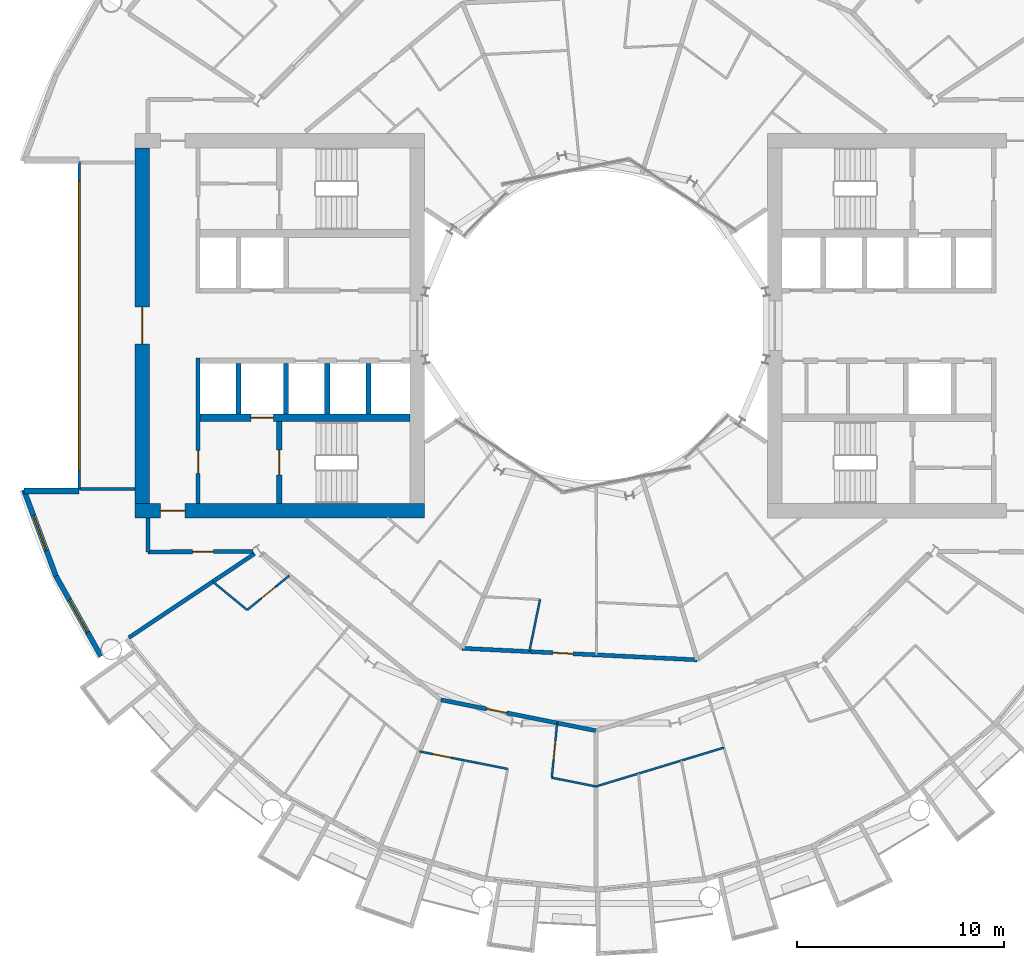
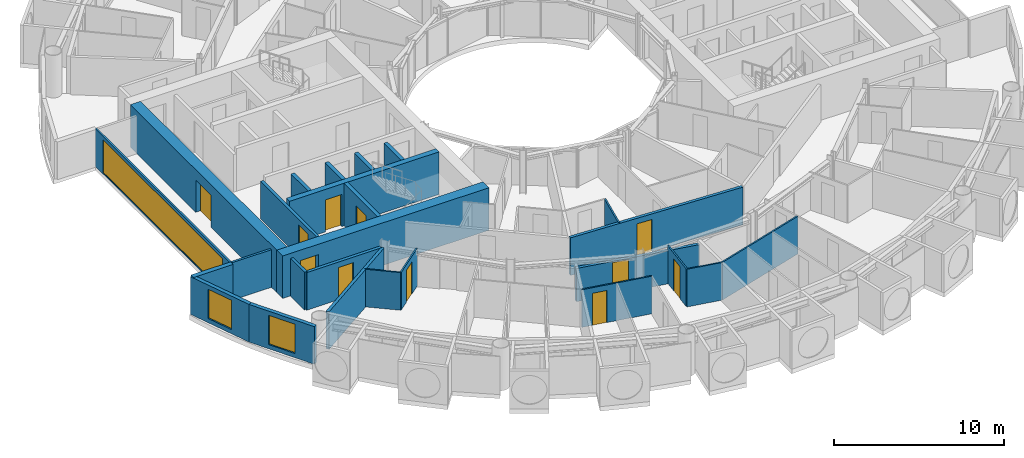
# One storey, part 14 of 26: 26 walls, 11 doors, 3 windows, 14 openings.
"""IFC4 building model written with IfcOpenShell, lengths in metres."""

from ifc_helpers import new_model, si_unit, direction, frame, frame_2d, origin, place, context, subcontext, project, spatial, rectangle, extrude, material, layer, layer_set, type_object, element, fill, save


model = new_model("IFC4")

# Units and contexts
model_context = context("Model", 3, precision=1e-05, world=origin(), true_north=direction((0.0, 1.0)))
body_context = subcontext(model_context, "Body", "Model", "MODEL_VIEW")
ifc_project = project(units=[si_unit("LENGTHUNIT", "METRE"), si_unit("AREAUNIT", "SQUARE_METRE"), si_unit("VOLUMEUNIT", "CUBIC_METRE"), si_unit("PLANEANGLEUNIT", "RADIAN"), si_unit("MASSUNIT", "GRAM", prefix="KILO")], contexts=[model_context])

# Site, building, storey
site_placement = place(None, origin())
site = spatial("IfcSite", under=ifc_project, at=site_placement, CompositionType="ELEMENT")
building_placement = place(site_placement, origin())
building = spatial("IfcBuilding", under=site, at=building_placement, Name="Maasbend Ring Residences", CompositionType="ELEMENT")
storey_placement = place(building_placement, frame((0.0, 0.0, 72.75)))
storey = spatial("IfcBuildingStorey", under=building, at=storey_placement, Name="L20", CompositionType="ELEMENT", Elevation=72.75)

# Wall, opening, door
ifc_material_1 = material(Name="Concrete C70/85", Category="concrete")
ifc_layer_1 = layer(ifc_material_1, 0.25)
ifc_layer_set_1 = layer_set([ifc_layer_1], Name="Concrete C70/85")
wall_type_1 = type_object("IfcWallType", Name="CORE WALL 250 C70/85", PredefinedType="SHEAR", material=ifc_layer_set_1)
wall_1_placement = place(storey_placement, frame((-15.324951171875, -4.64990234375, 0.0), z_axis=(0.0, 0.0, 1.0), x_axis=(0.0, -1.0, 0.0)))
wall_1 = element("IfcWall", 1, at=wall_1_placement, inside=storey, type_object=wall_type_1, Name="L20 core W wall STEN", PredefinedType="SHEAR", context=body_context, shape_type="SweptSolid", body=[
    extrude(rectangle(XDim=3.9501953125, YDim=0.25, at=frame_2d((1.97509765625, 0.0))), origin(), (0.0, 0.0, 1.0), 3.050048828125),
])
opening_1_placement = place(wall_1_placement, frame((1.375, 0.0, 0.0)))
opening_1 = element("IfcOpeningElement", 2, at=opening_1_placement, cuts=wall_1, Name="Opening D-W2008", PredefinedType="OPENING", context=body_context, shape_type="SweptSolid", body=[
    extrude(rectangle(XDim=1.199951171875, YDim=2.300048828125, at=frame_2d((0.60009765625, 1.14990234375))), frame((0.0, 0.135009765625, 0.0), z_axis=(0.0, -1.0, 0.0), x_axis=(1.0, 0.0, 0.0)), (0.0, 0.0, 1.0), 0.27001953125),
])
ifc_material_2 = material(Name="Steel, powder coated", Category="steel")
door_type_1 = type_object("IfcDoorType", Name="STAIR DOOR 1200 X 2300 FD60", OperationType="NOTDEFINED", PredefinedType="DOOR", material=ifc_material_2)
door_1_placement = place(opening_1_placement, origin())
door_1 = element("IfcDoor", 3, at=door_1_placement, inside=storey, type_object=door_type_1, Name="Stair door ST-W L20", OperationType="SINGLE_SWING_LEFT", OverallHeight=2.300048828125, OverallWidth=1.199951171875, PredefinedType="DOOR", context=body_context, shape_type="SweptSolid", body=[
    extrude(rectangle(XDim=1.199951171875, YDim=2.300048828125, at=frame_2d((0.60009765625, 1.14990234375))), frame((0.0, 0.02490234375, 0.0), z_axis=(0.0, -1.0, 0.0), x_axis=(1.0, 0.0, 0.0)), (0.0, 0.0, 1.0), 0.050048828125),
])
fill(opening_1, door_1)

ifc_material_3 = material(Name="Concrete C70/85", Category="concrete")
ifc_layer_2 = layer(ifc_material_3, 0.375)
ifc_layer_set_2 = layer_set([ifc_layer_2], Name="Concrete C70/85")
wall_type_2 = type_object("IfcWallType", Name="CORE WALL 375 C70/85", PredefinedType="SHEAR", material=ifc_layer_set_2)
wall_2_placement = place(storey_placement, frame((-9.0, -4.46240234375, 0.0), z_axis=(0.0, 0.0, 1.0), x_axis=(-1.0, 0.0, 0.0)))
wall_2 = element("IfcWall", 4, at=wall_2_placement, inside=storey, type_object=wall_type_2, Name="L20 core W wall BN", PredefinedType="SHEAR", context=body_context, shape_type="SweptSolid", body=[
    extrude(rectangle(XDim=10.14990234375, YDim=0.375, at=frame_2d((5.074951171875, 0.0))), origin(), (0.0, 0.0, 1.0), 3.050048828125),
])
opening_2_placement = place(wall_2_placement, frame((6.60009765625, 0.0, 0.0)))
opening_2 = element("IfcOpeningElement", 5, at=opening_2_placement, cuts=wall_2, Name="Opening LD-W2004", PredefinedType="OPENING", context=body_context, shape_type="SweptSolid", body=[
    extrude(rectangle(XDim=1.10009765625, YDim=2.300048828125, at=frame_2d((0.550048828125, 1.14990234375))), frame((0.0, 0.197509765625, 0.0), z_axis=(0.0, -1.0, 0.0), x_axis=(1.0, 0.0, 0.0)), (0.0, 0.0, 1.0), 0.39501953125),
])
ifc_material_4 = material(Name="Stainless steel 316", Category="steel")
door_type_2 = type_object("IfcDoorType", Name="LANDING DOOR 1100 X 2300 FD60", OperationType="DOUBLE_DOOR_SLIDING", PredefinedType="DOOR", material=ifc_material_4)
door_2_placement = place(opening_2_placement, origin())
door_2 = element("IfcDoor", 6, at=door_2_placement, inside=storey, type_object=door_type_2, Name="Landing door FF-W L20", OperationType="DOUBLE_DOOR_SLIDING", OverallHeight=2.300048828125, OverallWidth=1.10009765625, PredefinedType="DOOR", context=body_context, shape_type="SweptSolid", body=[
    extrude(rectangle(XDim=1.10009765625, YDim=2.300048828125, at=frame_2d((0.550048828125, 1.14990234375))), frame((0.0, 0.02490234375, 0.0), z_axis=(0.0, -1.0, 0.0), x_axis=(1.0, 0.0, 0.0)), (0.0, 0.0, 1.0), 0.050048828125),
])
fill(opening_2, door_2)

ifc_material_5 = material(Name="Concrete C70/85", Category="concrete")
ifc_layer_3 = layer(ifc_material_5, 0.699951171875)
ifc_layer_set_3 = layer_set([ifc_layer_3], Name="Concrete C70/85")
wall_type_3 = type_object("IfcWallType", Name="CORE WALL 700 C70/85", PredefinedType="SHEAR", material=ifc_layer_set_3)
wall_3_placement = place(storey_placement, frame((-22.300048828125, -8.949951171875, 0.0), z_axis=(0.0, 0.0, 1.0), x_axis=(1.0, 0.0, 0.0)))
wall_3 = element("IfcWall", 7, at=wall_3_placement, inside=storey, type_object=wall_type_3, Name="L20 core W wall PN", PredefinedType="SHEAR", context=body_context, shape_type="SweptSolid", body=[
    extrude(rectangle(XDim=14.0, YDim=0.699951171875, at=frame_2d((7.0, 0.0))), origin(), (0.0, 0.0, 1.0), 3.050048828125),
])
opening_3_placement = place(wall_3_placement, frame((1.22509765625, 0.0, 0.0)))
opening_3 = element("IfcOpeningElement", 8, at=opening_3_placement, cuts=wall_3, Name="Opening D-W2012", PredefinedType="OPENING", context=body_context, shape_type="SweptSolid", body=[
    extrude(rectangle(XDim=1.199951171875, YDim=2.300048828125, at=frame_2d((0.60009765625, 1.14990234375))), frame((0.0, 0.35986328125, 0.0), z_axis=(0.0, -1.0, 0.0), x_axis=(1.0, 0.0, 0.0)), (0.0, 0.0, 1.0), 0.719970703125),
])
ifc_material_6 = material(Name="Steel, powder coated", Category="steel")
door_type_3 = type_object("IfcDoorType", Name="CORRIDOR DOOR 1200 X 2300 FD30S", OperationType="NOTDEFINED", PredefinedType="DOOR", material=ifc_material_6)
door_3_placement = place(opening_3_placement, origin())
door_3 = element("IfcDoor", 9, at=door_3_placement, inside=storey, type_object=door_type_3, Name="Corridor door L20", OperationType="SINGLE_SWING_RIGHT", OverallHeight=2.300048828125, OverallWidth=1.199951171875, PredefinedType="DOOR", context=body_context, shape_type="SweptSolid", body=[
    extrude(rectangle(XDim=1.199951171875, YDim=2.300048828125, at=frame_2d((0.60009765625, 1.14990234375))), frame((0.0, 0.02490234375, 0.0), z_axis=(0.0, -1.0, 0.0), x_axis=(1.0, 0.0, 0.0)), (0.0, 0.0, 1.0), 0.050048828125),
])
fill(opening_3, door_3)

wall_4_placement = place(storey_placement, frame((-21.949951171875, -8.60009765625, 0.0), z_axis=(0.0, 0.0, 1.0), x_axis=(0.0, 1.0, 0.0)))
wall_4 = element("IfcWall", 10, at=wall_4_placement, inside=storey, type_object=wall_type_3, Name="L20 core W wall POUT", PredefinedType="SHEAR", context=body_context, shape_type="SweptSolid", body=[
    extrude(rectangle(XDim=17.2001953125, YDim=0.699951171875, at=frame_2d((8.60009765625, 0.0))), origin(), (0.0, 0.0, 1.0), 3.050048828125),
])
opening_4_placement = place(wall_4_placement, frame((7.699951171875, 0.0, 0.0)))
opening_4 = element("IfcOpeningElement", 11, at=opening_4_placement, cuts=wall_4, Name="Opening D-W2014", PredefinedType="OPENING", context=body_context, shape_type="SweptSolid", body=[
    extrude(rectangle(XDim=1.800048828125, YDim=2.300048828125, at=frame_2d((0.89990234375, 1.14990234375))), frame((0.0, 0.35986328125, 0.0), z_axis=(0.0, -1.0, 0.0), x_axis=(1.0, 0.0, 0.0)), (0.0, 0.0, 1.0), 0.719970703125),
])
ifc_material_7 = material(Name="Aluminium frame, clear glass", Category="aluminium")
door_type_4 = type_object("IfcDoorType", Name="ENTRANCE DOOR 1800 X 2300 FD60", OperationType="NOTDEFINED", PredefinedType="DOOR", material=ifc_material_7)
door_4_placement = place(opening_4_placement, origin())
door_4 = element("IfcDoor", 12, at=door_4_placement, inside=storey, type_object=door_type_4, Name="Lobby glazed door L20", OperationType="SINGLE_SWING_LEFT", OverallHeight=2.300048828125, OverallWidth=1.800048828125, PredefinedType="DOOR", context=body_context, shape_type="SweptSolid", body=[
    extrude(rectangle(XDim=1.800048828125, YDim=2.300048828125, at=frame_2d((0.89990234375, 1.14990234375))), frame((0.0, 0.02490234375, 0.0), z_axis=(0.0, -1.0, 0.0), x_axis=(1.0, 0.0, 0.0)), (0.0, 0.0, 1.0), 0.050048828125),
])
fill(opening_4, door_4)

ifc_material_8 = material(Name="Concrete C30/37", Category="concrete")
ifc_layer_4 = layer(ifc_material_8, 0.199951171875)
ifc_layer_set_4 = layer_set([ifc_layer_4], Name="Concrete C30/37")
wall_type_4 = type_object("IfcWallType", Name="CORRIDOR WALL 200 CONCRETE", PredefinedType="PARTITIONING", material=ifc_layer_set_4)
wall_5_placement = place(storey_placement, frame((-7.5009765625, -18.10791015625, 0.0), z_axis=(0.0, 0.0, 1.0), x_axis=(0.980781515054, -0.195109250749, 0.0)))
wall_5 = element("IfcWall", 13, at=wall_5_placement, inside=storey, type_object=wall_type_4, Name="U-L20-w011", PredefinedType="PARTITIONING", context=body_context, shape_type="SweptSolid", body=[
    extrude(rectangle(XDim=7.64794921875, YDim=0.199951171875, at=frame_2d((3.823974609375, 0.0))), origin(), (0.0, 0.0, 1.0), 2.3798828125),
])
opening_5_placement = place(wall_5_placement, frame((2.25, 0.0, 0.0)))
opening_5 = element("IfcOpeningElement", 14, at=opening_5_placement, cuts=wall_5, Name="Opening D-2039", PredefinedType="OPENING", context=body_context, shape_type="SweptSolid", body=[
    extrude(rectangle(XDim=1.0, YDim=2.300048828125, at=frame_2d((0.5, 1.14990234375))), frame((0.0, 0.10986328125, 0.0), z_axis=(0.0, -1.0, 0.0), x_axis=(1.0, 0.0, 0.0)), (0.0, 0.0, 1.0), 0.219970703125),
])
ifc_material_9 = material(Name="Timber, fire-rated, painted", Category="wood")
door_type_5 = type_object("IfcDoorType", Name="FLAT ENTRANCE DOOR 1000 X 2300 FIRE-RATED", OperationType="NOTDEFINED", PredefinedType="DOOR", material=ifc_material_9)
door_5_placement = place(opening_5_placement, origin())
door_5 = element("IfcDoor", 15, at=door_5_placement, inside=storey, type_object=door_type_5, Name="D-2039", OperationType="SINGLE_SWING_LEFT", OverallHeight=2.300048828125, OverallWidth=1.0, PredefinedType="DOOR", context=body_context, shape_type="SweptSolid", body=[
    extrude(rectangle(XDim=1.0, YDim=2.300048828125, at=frame_2d((0.5, 1.14990234375))), frame((0.0, 0.02490234375, 0.0), z_axis=(0.0, -1.0, 0.0), x_axis=(1.0, 0.0, 0.0)), (0.0, 0.0, 1.0), 0.050048828125),
])
fill(opening_5, door_5)

wall_6_placement = place(storey_placement, frame((-6.468994140625, -15.614013671875, 0.0), z_axis=(0.0, 0.0, 1.0), x_axis=(0.998798520108, -0.049005267363, 0.0)))
wall_6 = element("IfcWall", 16, at=wall_6_placement, inside=storey, type_object=wall_type_4, Name="U-L20-w016", PredefinedType="PARTITIONING", context=body_context, shape_type="SweptSolid", body=[
    extrude(rectangle(XDim=11.388671875, YDim=0.199951171875, at=frame_2d((5.6943359375, 0.0))), origin(), (0.0, 0.0, 1.0), 2.699951171875),
])
opening_6_placement = place(wall_6_placement, frame((4.383056640625, 0.0, 0.0)))
opening_6 = element("IfcOpeningElement", 17, at=opening_6_placement, cuts=wall_6, Name="Opening D-2057", PredefinedType="OPENING", context=body_context, shape_type="SweptSolid", body=[
    extrude(rectangle(XDim=1.0, YDim=2.300048828125, at=frame_2d((0.5, 1.14990234375))), frame((0.0, 0.10986328125, 0.0), z_axis=(0.0, -1.0, 0.0), x_axis=(1.0, 0.0, 0.0)), (0.0, 0.0, 1.0), 0.219970703125),
])
door_6_placement = place(opening_6_placement, origin())
door_6 = element("IfcDoor", 18, at=door_6_placement, inside=storey, type_object=door_type_5, Name="D-2057", OperationType="SINGLE_SWING_LEFT", OverallHeight=2.300048828125, OverallWidth=1.0, PredefinedType="DOOR", context=body_context, shape_type="SweptSolid", body=[
    extrude(rectangle(XDim=1.0, YDim=2.300048828125, at=frame_2d((0.5, 1.14990234375))), frame((0.0, 0.02490234375, 0.0), z_axis=(0.0, -1.0, 0.0), x_axis=(1.0, 0.0, 0.0)), (0.0, 0.0, 1.0), 0.050048828125),
])
fill(opening_6, door_6)

wall_7_placement = place(storey_placement, frame((-21.675048828125, -10.949951171875, 0.0), z_axis=(0.0, 0.0, 1.0), x_axis=(0.999988944514, 0.004702217579, 0.0)))
wall_7 = element("IfcWall", 19, at=wall_7_placement, inside=storey, type_object=wall_type_4, Name="U-L20-w024", PredefinedType="PARTITIONING", context=body_context, shape_type="SweptSolid", body=[
    extrude(rectangle(XDim=5.088134765625, YDim=0.199951171875, at=frame_2d((2.5439453125, 0.0))), origin(), (0.0, 0.0, 1.0), 2.699951171875),
])
opening_7_placement = place(wall_7_placement, frame((2.162109375, 0.0, 0.0)))
opening_7 = element("IfcOpeningElement", 20, at=opening_7_placement, cuts=wall_7, Name="Opening D-2065", PredefinedType="OPENING", context=body_context, shape_type="SweptSolid", body=[
    extrude(rectangle(XDim=1.0, YDim=2.300048828125, at=frame_2d((0.5, 1.14990234375))), frame((0.0, 0.10986328125, 0.0), z_axis=(0.0, -1.0, 0.0), x_axis=(1.0, 0.0, 0.0)), (0.0, 0.0, 1.0), 0.219970703125),
])
ifc_material_10 = material(Name="Timber, painted", Category="wood")
door_type_6 = type_object("IfcDoorType", Name="ROOM DOOR 1000 X 2300", OperationType="NOTDEFINED", PredefinedType="DOOR", material=ifc_material_10)
door_7_placement = place(opening_7_placement, origin())
door_7 = element("IfcDoor", 21, at=door_7_placement, inside=storey, type_object=door_type_6, Name="D-2065", OperationType="SINGLE_SWING_RIGHT", OverallHeight=2.300048828125, OverallWidth=1.0, PredefinedType="DOOR", context=body_context, shape_type="SweptSolid", body=[
    extrude(rectangle(XDim=1.0, YDim=2.300048828125, at=frame_2d((0.5, 1.14990234375))), frame((0.0, 0.02490234375, 0.0), z_axis=(0.0, -1.0, 0.0), x_axis=(1.0, 0.0, 0.0)), (0.0, 0.0, 1.0), 0.050048828125),
])
fill(opening_7, door_7)

# Wall
wall_8_placement = place(storey_placement, frame((-21.675048828125, -10.949951171875, 0.0), z_axis=(0.0, 0.0, 1.0), x_axis=(0.0, 1.0, 0.0)))
element("IfcWall", 22, at=wall_8_placement, inside=storey, type_object=wall_type_4, Name="U-L20-w105", PredefinedType="PARTITIONING", context=body_context, shape_type="SweptSolid", body=[
    extrude(rectangle(XDim=1.64990234375, YDim=0.199951171875, at=frame_2d((0.824951171875, 0.0))), origin(), (0.0, 0.0, 1.0), 2.699951171875),
])

# Wall, opening, window
ifc_material_11 = material(Name="Aluminium clad insulated panel", Category="aluminium")
ifc_layer_5 = layer(ifc_material_11, 0.25)
ifc_layer_set_5 = layer_set([ifc_layer_5], Name="EW-HORN")
wall_type_5 = type_object("IfcWallType", Name="EW-HORN", PredefinedType="SOLIDWALL", material=ifc_layer_set_5)
wall_9_placement = place(storey_placement, frame((-27.681884765625, -7.945068359375, 0.0), z_axis=(0.0, 0.0, 1.0), x_axis=(0.349247811493, -0.937030397675, 0.0)))
wall_9 = element("IfcWall", 23, at=wall_9_placement, inside=storey, type_object=wall_type_5, Name="Horn wall 3.1", PredefinedType="SOLIDWALL", context=body_context, shape_type="SweptSolid", body=[
    extrude(rectangle(XDim=4.4521484375, YDim=0.25, at=frame_2d((2.22607421875, 0.0))), origin(), (0.0, 0.0, 1.0), 2.699951171875),
])
opening_8_placement = place(wall_9_placement, frame((1.32666015625, 0.0, 0.300048828125)))
opening_8 = element("IfcOpeningElement", 24, at=opening_8_placement, cuts=wall_9, Name="Opening W-BX", PredefinedType="OPENING", context=body_context, shape_type="SweptSolid", body=[
    extrude(rectangle(XDim=1.800048828125, YDim=2.10009765625, at=frame_2d((0.89990234375, 1.050048828125))), frame((0.0, 0.135009765625, 0.0), z_axis=(0.0, -1.0, 0.0), x_axis=(1.0, 0.0, 0.0)), (0.0, 0.0, 1.0), 0.27001953125),
])
ifc_material_12 = material(Name="Aluminium and clear glass", Category="aluminium")
window_type_1 = type_object("IfcWindowType", Name="W-BX", PartitioningType="DOUBLE_PANEL_VERTICAL", PredefinedType="WINDOW", material=ifc_material_12)
window_1_placement = place(opening_8_placement, origin())
window_1 = element("IfcWindow", 25, at=window_1_placement, inside=storey, type_object=window_type_1, Name="Horn window 3.1", OverallHeight=2.10009765625, OverallWidth=1.800048828125, PartitioningType="SINGLE_PANEL", PredefinedType="WINDOW", context=body_context, shape_type="SweptSolid", body=[
    extrude(rectangle(XDim=1.800048828125, YDim=2.10009765625, at=frame_2d((0.89990234375, 1.050048828125))), frame((0.0, 0.030029296875, 0.0), z_axis=(0.0, -1.0, 0.0), x_axis=(1.0, 0.0, 0.0)), (0.0, 0.0, 1.0), 0.06005859375),
])
fill(opening_8, window_1)

wall_10_placement = place(storey_placement, frame((-26.126953125, -12.116943359375, 0.0), z_axis=(0.0, 0.0, 1.0), x_axis=(0.489696356642, -0.871893042919, 0.0)))
wall_10 = element("IfcWall", 26, at=wall_10_placement, inside=storey, type_object=wall_type_5, Name="Horn wall 3.2", PredefinedType="SOLIDWALL", context=body_context, shape_type="SweptSolid", body=[
    extrude(rectangle(XDim=4.45361328125, YDim=0.25, at=frame_2d((2.226806640625, 0.0))), origin(), (0.0, 0.0, 1.0), 2.699951171875),
])
opening_9_placement = place(wall_10_placement, frame((1.32666015625, 0.0, 0.300048828125)))
opening_9 = element("IfcOpeningElement", 27, at=opening_9_placement, cuts=wall_10, Name="Opening W-BX", PredefinedType="OPENING", context=body_context, shape_type="SweptSolid", body=[
    extrude(rectangle(XDim=1.800048828125, YDim=2.10009765625, at=frame_2d((0.89990234375, 1.050048828125))), frame((0.0, 0.135009765625, 0.0), z_axis=(0.0, -1.0, 0.0), x_axis=(1.0, 0.0, 0.0)), (0.0, 0.0, 1.0), 0.27001953125),
])
window_2_placement = place(opening_9_placement, origin())
window_2 = element("IfcWindow", 28, at=window_2_placement, inside=storey, type_object=window_type_1, Name="Horn window 3.2", OverallHeight=2.10009765625, OverallWidth=1.800048828125, PartitioningType="SINGLE_PANEL", PredefinedType="WINDOW", context=body_context, shape_type="SweptSolid", body=[
    extrude(rectangle(XDim=1.800048828125, YDim=2.10009765625, at=frame_2d((0.89990234375, 1.050048828125))), frame((0.0, 0.030029296875, 0.0), z_axis=(0.0, -1.0, 0.0), x_axis=(1.0, 0.0, 0.0)), (0.0, 0.0, 1.0), 0.06005859375),
])
fill(opening_9, window_2)

# Wall
ifc_material_13 = material(Name="Aluminium clad insulated panel", Category="aluminium")
ifc_layer_6 = layer(ifc_material_13, 0.300048828125)
ifc_layer_set_6 = layer_set([ifc_layer_6], Name="EW-RET")
wall_type_6 = type_object("IfcWallType", Name="EW-RET", PredefinedType="SOLIDWALL", material=ifc_layer_set_6)
wall_11_placement = place(storey_placement, frame((-25.0, -8.0, 0.0), z_axis=(0.0, 0.0, 1.0), x_axis=(-1.0, 0.0, 0.0)))
element("IfcWall", 29, at=wall_11_placement, inside=storey, type_object=wall_type_6, Name="Notch return wall west south", PredefinedType="SOLIDWALL", context=body_context, shape_type="SweptSolid", body=[
    extrude(rectangle(XDim=2.6669921875, YDim=0.300048828125, at=frame_2d((1.33349609375, 0.0))), origin(), (0.0, 0.0, 1.0), 2.699951171875),
])

# Wall, opening, window
ifc_material_14 = material(Name="Aluminium frame and clear glass", Category="aluminium")
ifc_layer_7 = layer(ifc_material_14, 0.1201171875)
ifc_layer_set_7 = layer_set([ifc_layer_7], Name="GLAZED SCREEN WALL 120 EI 60")
wall_type_7 = type_object("IfcWallType", Name="GLAZED SCREEN WALL 120 EI 60", PredefinedType="PARTITIONING", material=ifc_layer_set_7)
wall_12_placement = place(storey_placement, frame((-25.0, 7.949951171875, 0.0), z_axis=(0.0, 0.0, 1.0), x_axis=(0.0, -1.0, 0.0)))
wall_12 = element("IfcWall", 30, at=wall_12_placement, inside=storey, type_object=wall_type_7, Name="L20 core W wall FACE", PredefinedType="PARTITIONING", context=body_context, shape_type="SweptSolid", body=[
    extrude(rectangle(XDim=15.89990234375, YDim=0.1201171875, at=frame_2d((7.949951171875, 0.0))), origin(), (0.0, 0.0, 1.0), 2.699951171875),
])
opening_10_placement = place(wall_12_placement, frame((0.949951171875, 0.0, 0.10009765625)))
opening_10 = element("IfcOpeningElement", 31, at=opening_10_placement, cuts=wall_12, Name="Opening W-W2002", PredefinedType="OPENING", context=body_context, shape_type="SweptSolid", body=[
    extrude(rectangle(XDim=14.0, YDim=2.35009765625, at=frame_2d((7.0, 1.175048828125))), frame((0.0, 0.070068359375, 0.0), z_axis=(0.0, -1.0, 0.0), x_axis=(1.0, 0.0, 0.0)), (0.0, 0.0, 1.0), 0.14013671875),
])
ifc_material_15 = material(Name="Aluminium frame and clear glass", Category="aluminium")
window_type_2 = type_object("IfcWindowType", Name="FIXED WINDOW 14000 X 2350", PartitioningType="SINGLE_PANEL", PredefinedType="WINDOW", material=ifc_material_15)
window_3_placement = place(opening_10_placement, origin())
window_3 = element("IfcWindow", 32, at=window_3_placement, inside=storey, type_object=window_type_2, Name="Lobby window L20", OverallHeight=2.35009765625, OverallWidth=14.0, PartitioningType="SINGLE_PANEL", PredefinedType="WINDOW", context=body_context, shape_type="SweptSolid", body=[
    extrude(rectangle(XDim=14.0, YDim=2.35009765625, at=frame_2d((7.0, 1.175048828125))), frame((0.0, 0.030029296875, 0.0), z_axis=(0.0, -1.0, 0.0), x_axis=(1.0, 0.0, 0.0)), (0.0, 0.0, 1.0), 0.06005859375),
])
fill(opening_10, window_3)

# Wall, opening, door
ifc_material_16 = material(Name="Gypsum board on steel studs", Category="steel")
ifc_layer_8 = layer(ifc_material_16, 0.10009765625)
ifc_layer_set_8 = layer_set([ifc_layer_8], Name="PARTITION 100 GYPSUM")
wall_type_8 = type_object("IfcWallType", Name="PARTITION 100 GYPSUM", PredefinedType="PARTITIONING", material=ifc_layer_set_8)
wall_13_placement = place(storey_placement, frame((-8.535888671875, -20.60302734375, 0.0), z_axis=(0.0, 0.0, 1.0), x_axis=(0.980795826794, -0.195037294239, 0.0)))
wall_13 = element("IfcWall", 33, at=wall_13_placement, inside=storey, type_object=wall_type_8, Name="U-L20-w001", PredefinedType="PARTITIONING", context=body_context, shape_type="SweptSolid", body=[
    extrude(rectangle(XDim=4.352294921875, YDim=0.10009765625, at=frame_2d((2.17626953125, 0.0))), origin(), (0.0, 0.0, 1.0), 2.699951171875),
])
opening_11_placement = place(wall_13_placement, frame((0.638916015625, 0.0, 0.0)))
opening_11 = element("IfcOpeningElement", 34, at=opening_11_placement, cuts=wall_13, Name="Opening D-2042", PredefinedType="OPENING", context=body_context, shape_type="SweptSolid", body=[
    extrude(rectangle(XDim=0.89990234375, YDim=2.300048828125, at=frame_2d((0.449951171875, 1.14990234375))), frame((0.0, 0.06005859375, 0.0), z_axis=(0.0, -1.0, 0.0), x_axis=(1.0, 0.0, 0.0)), (0.0, 0.0, 1.0), 0.1201171875),
])
ifc_material_17 = material(Name="Timber, painted", Category="wood")
door_type_7 = type_object("IfcDoorType", Name="INTERNAL DOOR 900 X 2300", OperationType="NOTDEFINED", PredefinedType="DOOR", material=ifc_material_17)
door_8_placement = place(opening_11_placement, origin())
door_8 = element("IfcDoor", 35, at=door_8_placement, inside=storey, type_object=door_type_7, Name="D-2042", OperationType="SINGLE_SWING_LEFT", OverallHeight=2.300048828125, OverallWidth=0.89990234375, PredefinedType="DOOR", context=body_context, shape_type="SweptSolid", body=[
    extrude(rectangle(XDim=0.89990234375, YDim=2.300048828125, at=frame_2d((0.449951171875, 1.14990234375))), frame((0.0, 0.02490234375, 0.0), z_axis=(0.0, -1.0, 0.0), x_axis=(1.0, 0.0, 0.0)), (0.0, 0.0, 1.0), 0.050048828125),
])
fill(opening_11, door_8)

# Walls
wall_14_placement = place(storey_placement, frame((-2.133056640625, -21.8759765625, 0.0), z_axis=(0.0, 0.0, 1.0), x_axis=(0.980804550577, -0.194993419292, 0.0)))
element("IfcWall", 36, at=wall_14_placement, inside=storey, type_object=wall_type_8, Name="U-L20-w002", PredefinedType="PARTITIONING", context=body_context, shape_type="SweptSolid", body=[
    extrude(rectangle(XDim=2.1748046875, YDim=0.10009765625, at=frame_2d((1.08740234375, 0.0))), origin(), (0.0, 0.0, 1.0), 2.699951171875),
])
wall_15_placement = place(storey_placement, frame((-18.5419921875, -12.388916015625, 0.0), z_axis=(0.0, 0.0, 1.0), x_axis=(0.772948171844, -0.634469166818, 0.0)))
element("IfcWall", 37, at=wall_15_placement, inside=storey, type_object=wall_type_8, Name="U-L20-w007", PredefinedType="PARTITIONING", context=body_context, shape_type="SweptSolid", body=[
    extrude(rectangle(XDim=2.157958984375, YDim=0.10009765625, at=frame_2d((1.0791015625, 0.0))), origin(), (0.0, 0.0, 1.0), 2.699951171875),
])
wall_16_placement = place(storey_placement, frame((0.0, -22.300048828125, 0.0), z_axis=(0.0, 0.0, 1.0), x_axis=(0.956940987612, 0.290282528286, 0.0)))
element("IfcWall", 38, at=wall_16_placement, inside=storey, type_object=wall_type_8, Name="U-L20-w009", PredefinedType="PARTITIONING", context=body_context, shape_type="SweptSolid", body=[
    extrude(rectangle(XDim=6.476806640625, YDim=0.10009765625, at=frame_2d((3.23828125, 0.0))), origin(), (0.0, 0.0, 1.0), 2.699951171875),
])

# Wall, opening, door
wall_17_placement = place(storey_placement, frame((-16.8740234375, -13.758056640625, 0.0), z_axis=(0.0, 0.0, 1.0), x_axis=(0.774979608522, 0.631986239072, 0.0)))
wall_17 = element("IfcWall", 39, at=wall_17_placement, inside=storey, type_object=wall_type_8, Name="U-L20-w035", PredefinedType="PARTITIONING", context=body_context, shape_type="SweptSolid", body=[
    extrude(rectangle(XDim=2.63623046875, YDim=0.10009765625, at=frame_2d((1.318115234375, 0.0))), origin(), (0.0, 0.0, 1.0), 2.699951171875),
])
opening_12_placement = place(wall_17_placement, frame((0.867919921875, 0.0, 0.0)))
opening_12 = element("IfcOpeningElement", 40, at=opening_12_placement, cuts=wall_17, Name="Opening D-2034", PredefinedType="OPENING", context=body_context, shape_type="SweptSolid", body=[
    extrude(rectangle(XDim=0.89990234375, YDim=2.300048828125, at=frame_2d((0.449951171875, 1.14990234375))), frame((0.0, 0.06005859375, 0.0), z_axis=(0.0, -1.0, 0.0), x_axis=(1.0, 0.0, 0.0)), (0.0, 0.0, 1.0), 0.1201171875),
])
door_9_placement = place(opening_12_placement, origin())
door_9 = element("IfcDoor", 41, at=door_9_placement, inside=storey, type_object=door_type_7, Name="D-2034", OperationType="SINGLE_SWING_LEFT", OverallHeight=2.300048828125, OverallWidth=0.89990234375, PredefinedType="DOOR", context=body_context, shape_type="SweptSolid", body=[
    extrude(rectangle(XDim=0.89990234375, YDim=2.300048828125, at=frame_2d((0.449951171875, 1.14990234375))), frame((0.0, 0.02490234375, 0.0), z_axis=(0.0, -1.0, 0.0), x_axis=(1.0, 0.0, 0.0)), (0.0, 0.0, 1.0), 0.050048828125),
])
fill(opening_12, door_9)

# Wall
wall_18_placement = place(storey_placement, frame((-3.218017578125, -15.77294921875, 0.0), z_axis=(0.0, 0.0, 1.0), x_axis=(0.199820523641, 0.979832515449, 0.0)))
element("IfcWall", 42, at=wall_18_placement, inside=storey, type_object=wall_type_8, Name="U-L20-w055", PredefinedType="PARTITIONING", context=body_context, shape_type="SweptSolid", body=[
    extrude(rectangle(XDim=2.57177734375, YDim=0.10009765625, at=frame_2d((1.285888671875, 0.0))), origin(), (0.0, 0.0, 1.0), 2.699951171875),
])

# Wall, opening, door
wall_19_placement = place(storey_placement, frame((-2.133056640625, -21.8759765625, 0.0), z_axis=(0.0, 0.0, 1.0), x_axis=(0.096960338807, 0.995288246036, 0.0)))
wall_19 = element("IfcWall", 43, at=wall_19_placement, inside=storey, type_object=wall_type_8, Name="U-L20-w057", PredefinedType="PARTITIONING", context=body_context, shape_type="SweptSolid", body=[
    extrude(rectangle(XDim=2.661376953125, YDim=0.10009765625, at=frame_2d((1.33056640625, 0.0))), origin(), (0.0, 0.0, 1.0), 2.699951171875),
])
opening_13_placement = place(wall_19_placement, frame((0.881103515625, 0.0, 0.0)))
opening_13 = element("IfcOpeningElement", 44, at=opening_13_placement, cuts=wall_19, Name="Opening D-2040", PredefinedType="OPENING", context=body_context, shape_type="SweptSolid", body=[
    extrude(rectangle(XDim=0.89990234375, YDim=2.300048828125, at=frame_2d((0.449951171875, 1.14990234375))), frame((0.0, 0.06005859375, 0.0), z_axis=(0.0, -1.0, 0.0), x_axis=(1.0, 0.0, 0.0)), (0.0, 0.0, 1.0), 0.1201171875),
])
door_10_placement = place(opening_13_placement, origin())
door_10 = element("IfcDoor", 45, at=door_10_placement, inside=storey, type_object=door_type_7, Name="D-2040", OperationType="SINGLE_SWING_LEFT", OverallHeight=2.300048828125, OverallWidth=0.89990234375, PredefinedType="DOOR", context=body_context, shape_type="SweptSolid", body=[
    extrude(rectangle(XDim=0.89990234375, YDim=2.300048828125, at=frame_2d((0.449951171875, 1.14990234375))), frame((0.0, 0.02490234375, 0.0), z_axis=(0.0, -1.0, 0.0), x_axis=(1.0, 0.0, 0.0)), (0.0, 0.0, 1.0), 0.050048828125),
])
fill(opening_13, door_10)

# Walls
ifc_material_18 = material(Name="Gypsum board on steel studs", Category="steel")
ifc_layer_9 = layer(ifc_material_18, 0.14990234375)
ifc_layer_set_9 = layer_set([ifc_layer_9], Name="PARTITION 150 EI 60")
wall_type_9 = type_object("IfcWallType", Name="PARTITION 150 EI 60", PredefinedType="PARTITIONING", material=ifc_layer_set_9)
wall_20_placement = place(storey_placement, frame((-22.300048828125, -7.89990234375, 0.0), z_axis=(0.0, 0.0, 1.0), x_axis=(-1.0, 0.0, 0.0)))
element("IfcWall", 46, at=wall_20_placement, inside=storey, type_object=wall_type_9, Name="L20 core W wall CITN", PredefinedType="PARTITIONING", context=body_context, shape_type="SweptSolid", body=[
    extrude(rectangle(XDim=2.639892578125, YDim=0.14990234375, at=frame_2d((1.31982421875, 0.0))), origin(), (0.0, 0.0, 1.0), 2.699951171875),
])
ifc_material_19 = material(Name="Concrete C30/37", Category="concrete")
ifc_layer_10 = layer(ifc_material_19, 0.199951171875)
ifc_layer_set_10 = layer_set([ifc_layer_10], Name="Concrete C30/37")
wall_type_10 = type_object("IfcWallType", Name="PARTY WALL 200 CONCRETE", PredefinedType="PARTITIONING", material=ifc_layer_set_10)
wall_21_placement = place(storey_placement, frame((-22.594970703125, -15.096923828125, 0.0), z_axis=(0.0, 0.0, 1.0), x_axis=(0.831505405283, 0.555516661303, 0.0)))
element("IfcWall", 47, at=wall_21_placement, inside=storey, type_object=wall_type_10, Name="U-L20-w030", PredefinedType="PARTITIONING", context=body_context, shape_type="SweptSolid", body=[
    extrude(rectangle(XDim=7.31201171875, YDim=0.199951171875, at=frame_2d((3.656005859375, 0.0))), origin(), (0.0, 0.0, 1.0), 2.699951171875),
])

# Wall, opening, door
ifc_material_20 = material(Name="Concrete C30/37", Category="concrete")
ifc_layer_11 = layer(ifc_material_20, 0.199951171875)
ifc_layer_set_11 = layer_set([ifc_layer_11], Name="Concrete C30/37")
wall_type_11 = type_object("IfcWallType", Name="SHAFT WALL 200 EI 120", PredefinedType="SOLIDWALL", material=ifc_layer_set_11)
wall_22_placement = place(storey_placement, frame((-19.25, -1.574951171875, 0.0), z_axis=(0.0, 0.0, 1.0), x_axis=(0.0, -1.0, 0.0)))
wall_22 = element("IfcWall", 48, at=wall_22_placement, inside=storey, type_object=wall_type_11, Name="L20 core W wall ENDN", PredefinedType="SOLIDWALL", context=body_context, shape_type="SweptSolid", body=[
    extrude(rectangle(XDim=7.025146484375, YDim=0.199951171875, at=frame_2d((3.5126953125, 0.0))), origin(), (0.0, 0.0, 1.0), 2.699951171875),
])
opening_14_placement = place(wall_22_placement, frame((4.47509765625, 0.0, 0.0)))
opening_14 = element("IfcOpeningElement", 49, at=opening_14_placement, cuts=wall_22, Name="Opening D-W2010", PredefinedType="OPENING", context=body_context, shape_type="SweptSolid", body=[
    extrude(rectangle(XDim=1.10009765625, YDim=2.300048828125, at=frame_2d((0.550048828125, 1.14990234375))), frame((0.0, 0.10986328125, 0.0), z_axis=(0.0, -1.0, 0.0), x_axis=(1.0, 0.0, 0.0)), (0.0, 0.0, 1.0), 0.219970703125),
])
ifc_material_21 = material(Name="Steel, powder coated", Category="steel")
door_type_8 = type_object("IfcDoorType", Name="LOBBY DOOR 1100 X 2300 FD60", OperationType="NOTDEFINED", PredefinedType="DOOR", material=ifc_material_21)
door_11_placement = place(opening_14_placement, origin())
door_11 = element("IfcDoor", 50, at=door_11_placement, inside=storey, type_object=door_type_8, Name="Lobby door L20", OperationType="SINGLE_SWING_LEFT", OverallHeight=2.300048828125, OverallWidth=1.10009765625, PredefinedType="DOOR", context=body_context, shape_type="SweptSolid", body=[
    extrude(rectangle(XDim=1.10009765625, YDim=2.300048828125, at=frame_2d((0.550048828125, 1.14990234375))), frame((0.0, 0.02490234375, 0.0), z_axis=(0.0, -1.0, 0.0), x_axis=(1.0, 0.0, 0.0)), (0.0, 0.0, 1.0), 0.050048828125),
])
fill(opening_14, door_11)

# Walls
ifc_material_22 = material(Name="Concrete C30/37", Category="concrete")
ifc_layer_12 = layer(ifc_material_22, 0.25)
ifc_layer_set_12 = layer_set([ifc_layer_12], Name="Concrete C30/37")
wall_type_12 = type_object("IfcWallType", Name="SHAFT WALL 250 EI 120", PredefinedType="SOLIDWALL", material=ifc_layer_set_12)
for number, where, z_axis, x_axis, name in (
    (51, (-15.0, -1.824951171875, 0.0), (0.0, 0.0, 1.0), (0.0, -1.0, 0.0), "L20 core W wall D150N"),
    (52, (-17.300048828125, -1.824951171875, 0.0), (0.0, 0.0, 1.0), (0.0, -1.0, 0.0), "L20 core W wall D173N"),
    (53, (-11.0, -1.824951171875, 0.0), (0.0, 0.0, 1.0), (0.0, -1.0, 0.0), "L20 core W wall D110N"),
    (54, (-13.0, -1.824951171875, 0.0), (0.0, 0.0, 1.0), (0.0, -1.0, 0.0), "L20 core W wall D130N"),
):
    element("IfcWall", number, at=place(storey_placement, frame(where, z_axis=z_axis, x_axis=x_axis)), inside=storey, type_object=wall_type_12, Name=name, PredefinedType="SOLIDWALL", context=body_context, shape_type="SweptSolid", body=[
        extrude(rectangle(XDim=2.449951171875, YDim=0.25, at=frame_2d((1.22509765625, 0.0))), origin(), (0.0, 0.0, 1.0), 2.699951171875),
    ])

save(model, "model.ifc")
